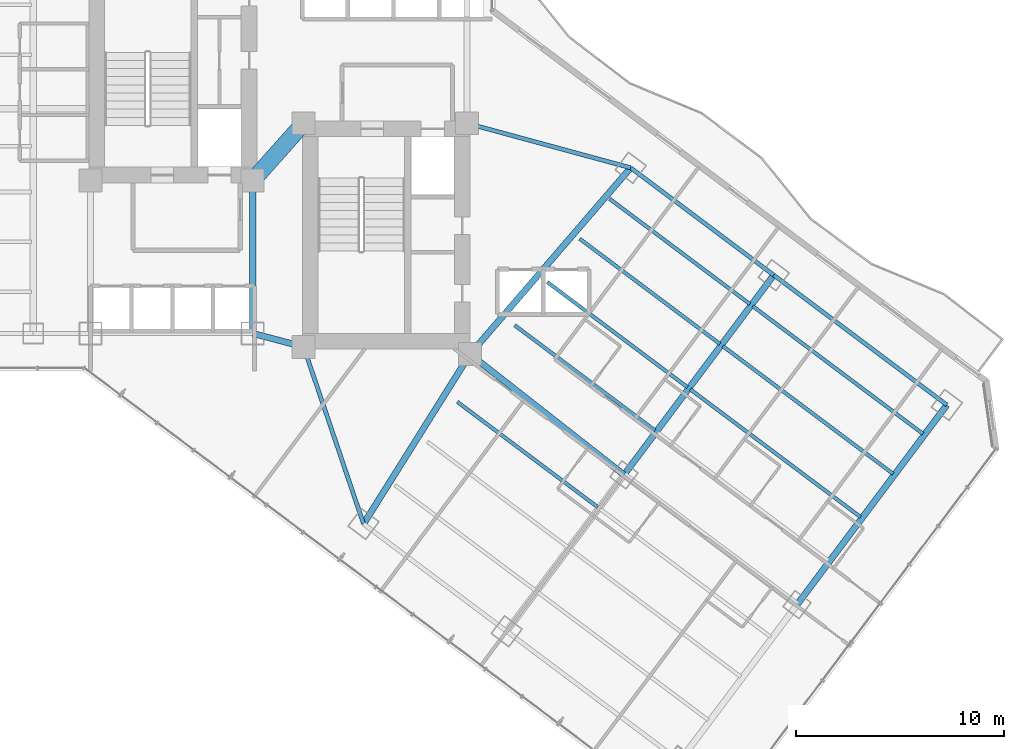
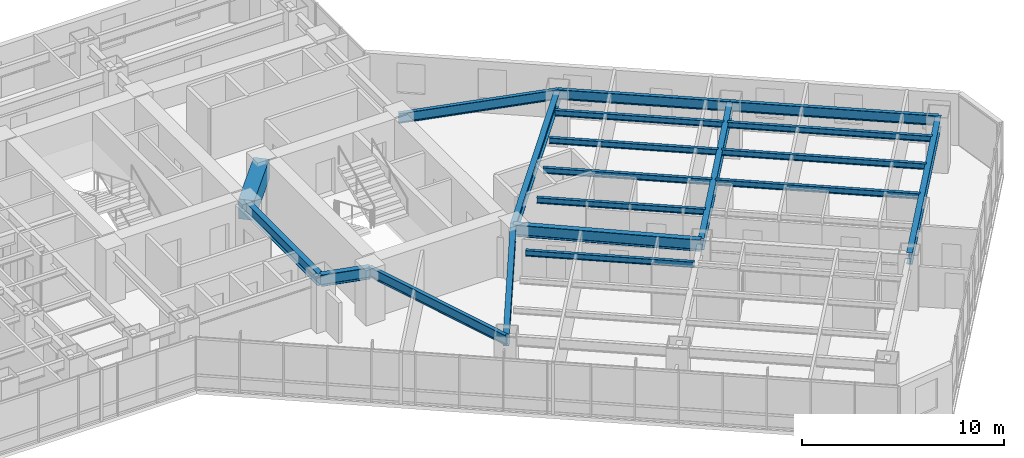
# One storey, part 17 of 38: 20 beams.
"""IFC4 building model written with IfcOpenShell, lengths in metres."""

from ifc_helpers import new_model, si_unit, direction, frame, origin, origin_2d, place, context, subcontext, project, spatial, rectangle, i_section, extrude, material, material_profile, profile_set, type_object, element, save


model = new_model("IFC4")

# Units and contexts
model_context = context("Model", 3, precision=1e-05, world=origin(), true_north=direction((0.0, 1.0)))
body_context = subcontext(model_context, "Body", "Model", "MODEL_VIEW")
ifc_project = project(units=[si_unit("LENGTHUNIT", "METRE"), si_unit("AREAUNIT", "SQUARE_METRE"), si_unit("VOLUMEUNIT", "CUBIC_METRE"), si_unit("PLANEANGLEUNIT", "RADIAN"), si_unit("MASSUNIT", "GRAM", prefix="KILO")], contexts=[model_context])

# Site, building, storey
site_placement = place(None, origin())
site = spatial("IfcSite", under=ifc_project, at=site_placement, CompositionType="ELEMENT")
building_placement = place(site_placement, origin())
building = spatial("IfcBuilding", under=site, at=building_placement, Name="Hatsunagi Terrace Concourse", CompositionType="ELEMENT")
storey_placement = place(building_placement, frame((0.0, 0.0, 63.39990234375)))
storey = spatial("IfcBuildingStorey", under=building, at=storey_placement, Name="L16", CompositionType="ELEMENT", Elevation=63.39990234375)

# Beams
ifc_material_1 = material(Name="Concrete Fc60", Category="concrete")
ifc_material_profile_1 = material_profile(ifc_material_1, rectangle(XDim=0.800048828125, YDim=1.199951171875, at=origin_2d()), Name="RC-800x1200")
ifc_profile_set_1 = profile_set([ifc_material_profile_1], Name="Concrete Fc60")
beam_type_1 = type_object("IfcBeamType", Name="CoreCouplingBeam_RC_800x1200", PredefinedType="BEAM", material=ifc_profile_set_1)
beam_1_placement = place(storey_placement, frame((33.35009765625, 32.550048828125, 2.530029296875), z_axis=(0.665198651008, 0.746666427997, 0.0), x_axis=(-0.746666427997, 0.665198651008, 0.0)))
element("IfcBeam", 1, at=beam_1_placement, inside=storey, type_object=beam_type_1, Name="Beam CB-01 CB-L16-1", PredefinedType="BEAM", context=body_context, shape_type="SweptSolid", body=[
    extrude(rectangle(XDim=0.800048828125, YDim=1.199951171875, at=origin_2d()), origin(), (0.0, 0.0, 1.0), 3.68310546875),
])
ifc_material_2 = material(Name="Steel SN490B", Category="steel")
ifc_material_profile_2 = material_profile(ifc_material_2, i_section(OverallWidth=0.300048828125, OverallDepth=0.699951171875, WebThickness=0.012939453125, FlangeThickness=0.02392578125, FilletRadius=0.02197265625, at=origin_2d()), Name="H-700x300x13x24")
ifc_profile_set_2 = profile_set([ifc_material_profile_2], Name="Steel SN490B")
beam_type_2 = type_object("IfcBeamType", Name="HotelFloorGirder_H_700x300", PredefinedType="BEAM", material=ifc_profile_set_2)
beam_2_placement = place(storey_placement, frame((33.35009765625, 25.199951171875, 2.780029296875), z_axis=(0.0, 1.0, 0.0), x_axis=(-1.0, 0.0, 0.0)))
element("IfcBeam", 2, at=beam_2_placement, inside=storey, type_object=beam_type_2, Name="Beam G-04 BM-L16-K2CA", PredefinedType="BEAM", context=body_context, shape_type="SweptSolid", body=[
    extrude(i_section(OverallWidth=0.300048828125, OverallDepth=0.699951171875, WebThickness=0.012939453125, FlangeThickness=0.02392578125, FilletRadius=0.02197265625, at=origin_2d()), origin(), (0.0, 0.0, 1.0), 7.35009765625),
])
beam_3_placement = place(storey_placement, frame((33.35009765625, 25.199951171875, 2.780029296875), z_axis=(0.966569840116, -0.256403479262, 0.0), x_axis=(0.256403479262, 0.966569840116, 0.0)))
element("IfcBeam", 3, at=beam_3_placement, inside=storey, type_object=beam_type_2, Name="Beam G-04 BM-L16-K2CB", PredefinedType="BEAM", context=body_context, shape_type="SweptSolid", body=[
    extrude(i_section(OverallWidth=0.300048828125, OverallDepth=0.699951171875, WebThickness=0.012939453125, FlangeThickness=0.02392578125, FilletRadius=0.02197265625, at=origin_2d()), origin(), (0.0, 0.0, 1.0), 2.53466796875),
])
beam_4_placement = place(storey_placement, frame((38.679931640625, 16.0400390625, 2.780029296875), z_axis=(0.531503907049, 0.847055840421, 0.0), x_axis=(-0.847055840421, 0.531503907049, 0.0)))
element("IfcBeam", 4, at=beam_4_placement, inside=storey, type_object=beam_type_2, Name="Beam G-04 BM-L16-SET-1A", PredefinedType="BEAM", context=body_context, shape_type="SweptSolid", body=[
    extrude(i_section(OverallWidth=0.300048828125, OverallDepth=0.699951171875, WebThickness=0.012939453125, FlangeThickness=0.02392578125, FilletRadius=0.02197265625, at=origin_2d()), origin(), (0.0, 0.0, 1.0), 9.63330078125),
])
beam_5_placement = place(storey_placement, frame((43.800048828125, 24.199951171875, 2.780029296875), z_axis=(0.652739101421, 0.757582777969, 0.0), x_axis=(-0.757582777969, 0.652739101421, 0.0)))
element("IfcBeam", 5, at=beam_5_placement, inside=storey, type_object=beam_type_2, Name="Beam G-04 BM-L16-SET-1B", PredefinedType="BEAM", context=body_context, shape_type="SweptSolid", body=[
    extrude(i_section(OverallWidth=0.300048828125, OverallDepth=0.699951171875, WebThickness=0.012939453125, FlangeThickness=0.02392578125, FilletRadius=0.02197265625, at=origin_2d()), origin(), (0.0, 0.0, 1.0), 11.8271484375),
])
beam_6_placement = place(storey_placement, frame((43.800048828125, 24.199951171875, 2.780029296875), z_axis=(0.787049441068, -0.616889923175, 0.0), x_axis=(0.616889923175, 0.787049441068, 0.0)))
element("IfcBeam", 6, at=beam_6_placement, inside=storey, type_object=beam_type_2, Name="Beam G-04 BM-L16-SE-M2", PredefinedType="BEAM", context=body_context, shape_type="SweptSolid", body=[
    extrude(i_section(OverallWidth=0.300048828125, OverallDepth=0.699951171875, WebThickness=0.012939453125, FlangeThickness=0.02392578125, FilletRadius=0.02197265625, at=origin_2d()), origin(), (0.0, 0.0, 1.0), 9.402099609375),
])
for number, where, z_axis, x_axis, name in (
    (7, (51.199951171875, 18.39990234375, 2.780029296875), (0.59999348959, 0.800004882766, 0.0), (-0.800004882766, 0.59999348959, 0.0), "Beam G-04 BM-L16-SET-2B"),
    (8, (59.52001953125, 12.159912109375, 2.780029296875), (0.59999348959, 0.800004882766, 0.0), (-0.800004882766, 0.59999348959, 0.0), "Beam G-04 BM-L16-SET-3B"),
):
    element("IfcBeam", number, at=place(storey_placement, frame(where, z_axis=z_axis, x_axis=x_axis)), inside=storey, type_object=beam_type_2, Name=name, PredefinedType="BEAM", context=body_context, shape_type="SweptSolid", body=[
        extrude(i_section(OverallWidth=0.300048828125, OverallDepth=0.699951171875, WebThickness=0.012939453125, FlangeThickness=0.02392578125, FilletRadius=0.02197265625, at=origin_2d()), origin(), (0.0, 0.0, 1.0), 12.0),
    ])
ifc_material_3 = material(Name="Steel SN490B", Category="steel")
ifc_material_profile_3 = material_profile(ifc_material_3, i_section(OverallWidth=0.175048828125, OverallDepth=0.35009765625, WebThickness=0.007080078125, FlangeThickness=0.010986328125, FilletRadius=0.012939453125, at=origin_2d()), Name="H-350x175x7x11")
ifc_profile_set_3 = profile_set([ifc_material_profile_3], Name="Steel SN490B")
beam_type_3 = type_object("IfcBeamType", Name="HotelJoist_H_350x175", PredefinedType="JOIST", material=ifc_profile_set_3)
for number, where, z_axis, x_axis, name in (
    (9, (43.18798828125, 21.908935546875, 2.955078125), (0.800003475366, -0.59999536615, 0.0), (0.59999536615, 0.800003475366, 0.0), "Beam J-02 J-L16-SE-2-96"),
    (10, (45.947998046875, 25.589111328125, 2.955078125), (0.799989573921, -0.600013901187, 0.0), (0.600013901187, 0.799989573921, 0.0), "Beam J-02 J-L16-SE-2-142"),
    (11, (47.508056640625, 27.6689453125, 2.955078125), (0.800003475366, -0.59999536615, 0.0), (0.59999536615, 0.800003475366, 0.0), "Beam J-02 J-L16-SE-2-168"),
    (12, (49.068115234375, 29.7490234375, 2.955078125), (0.799989573921, -0.600013901187, 0.0), (0.600013901187, 0.799989573921, 0.0), "Beam J-02 J-L16-SE-2-194"),
    (13, (50.508056640625, 31.6689453125, 2.955078125), (0.800003475366, -0.59999536615, 0.0), (0.59999536615, 0.800003475366, 0.0), "Beam J-02 J-L16-SE-2-218"),
):
    element("IfcBeam", number, at=place(storey_placement, frame(where, z_axis=z_axis, x_axis=x_axis)), inside=storey, type_object=beam_type_3, Name=name, PredefinedType="JOIST", context=body_context, shape_type="SweptSolid", body=[
        extrude(i_section(OverallWidth=0.175048828125, OverallDepth=0.35009765625, WebThickness=0.007080078125, FlangeThickness=0.010986328125, FilletRadius=0.012939453125, at=origin_2d()), origin(), (0.0, 0.0, 1.0), 8.429931640625),
    ])
beam_7_placement = place(storey_placement, frame((54.387939453125, 22.509033203125, 2.955078125), z_axis=(0.800005727586, -0.599992363142, 0.0), x_axis=(0.599992363142, 0.800005727586, 0.0)))
element("IfcBeam", 14, at=beam_7_placement, inside=storey, type_object=beam_type_3, Name="Beam J-02 J-L16-SE-3-168", PredefinedType="JOIST", context=body_context, shape_type="SweptSolid", body=[
    extrude(i_section(OverallWidth=0.175048828125, OverallDepth=0.35009765625, WebThickness=0.007080078125, FlangeThickness=0.010986328125, FilletRadius=0.012939453125, at=origin_2d()), origin(), (0.0, 0.0, 1.0), 10.22998046875),
])
beam_8_placement = place(storey_placement, frame((55.947998046875, 24.589111328125, 2.955078125), z_axis=(0.799994272423, -0.600007636694, 0.0), x_axis=(0.600007636694, 0.799994272423, 0.0)))
element("IfcBeam", 15, at=beam_8_placement, inside=storey, type_object=beam_type_3, Name="Beam J-02 J-L16-SE-3-194", PredefinedType="JOIST", context=body_context, shape_type="SweptSolid", body=[
    extrude(i_section(OverallWidth=0.175048828125, OverallDepth=0.35009765625, WebThickness=0.007080078125, FlangeThickness=0.010986328125, FilletRadius=0.012939453125, at=origin_2d()), origin(), (0.0, 0.0, 1.0), 10.230224609375),
])
beam_9_placement = place(storey_placement, frame((57.387939453125, 26.509033203125, 2.955078125), z_axis=(0.800005727586, -0.599992363142, 0.0), x_axis=(0.599992363142, 0.800005727586, 0.0)))
element("IfcBeam", 16, at=beam_9_placement, inside=storey, type_object=beam_type_3, Name="Beam J-02 J-L16-SE-3-218", PredefinedType="JOIST", context=body_context, shape_type="SweptSolid", body=[
    extrude(i_section(OverallWidth=0.175048828125, OverallDepth=0.35009765625, WebThickness=0.007080078125, FlangeThickness=0.010986328125, FilletRadius=0.012939453125, at=origin_2d()), origin(), (0.0, 0.0, 1.0), 10.22998046875),
])
ifc_material_4 = material(Name="Steel SN490B", Category="steel")
ifc_material_profile_4 = material_profile(ifc_material_4, i_section(OverallWidth=0.199951171875, OverallDepth=0.60009765625, WebThickness=0.010986328125, FlangeThickness=0.01708984375, FilletRadius=0.01806640625, at=origin_2d()), Name="H-600x200x11x17")
ifc_profile_set_4 = profile_set([ifc_material_profile_4], Name="Steel SN490B")
beam_type_4 = type_object("IfcBeamType", Name="PerimeterSpandrel_H_600x200", PredefinedType="SPANDREL", material=ifc_profile_set_4)
beam_10_placement = place(storey_placement, frame((35.800048828125, 24.550048828125, 2.830078125), z_axis=(0.320553412271, -0.947230441805, 0.0), x_axis=(0.947230441805, 0.320553412271, 0.0)))
element("IfcBeam", 17, at=beam_10_placement, inside=storey, type_object=beam_type_4, Name="Beam SP-01 BM-L16-SE-SW0", PredefinedType="SPANDREL", context=body_context, shape_type="SweptSolid", body=[
    extrude(i_section(OverallWidth=0.199951171875, OverallDepth=0.60009765625, WebThickness=0.010986328125, FlangeThickness=0.01708984375, FilletRadius=0.01806640625, at=origin_2d()), origin(), (0.0, 0.0, 1.0), 8.984130859375),
])
beam_11_placement = place(storey_placement, frame((43.64990234375, 35.300048828125, 2.830078125), z_axis=(0.964958359286, -0.262403057994, 0.0), x_axis=(0.262403057994, 0.964958359286, 0.0)))
element("IfcBeam", 18, at=beam_11_placement, inside=storey, type_object=beam_type_4, Name="Beam SP-01 BM-L16-SE-NE0", PredefinedType="SPANDREL", context=body_context, shape_type="SweptSolid", body=[
    extrude(i_section(OverallWidth=0.199951171875, OverallDepth=0.60009765625, WebThickness=0.010986328125, FlangeThickness=0.01708984375, FilletRadius=0.01806640625, at=origin_2d()), origin(), (0.0, 0.0, 1.0), 8.156005859375),
])
beam_12_placement = place(storey_placement, frame((51.52001953125, 33.159912109375, 2.830078125), z_axis=(0.8, -0.6, 0.0), x_axis=(0.6, 0.8, 0.0)))
element("IfcBeam", 19, at=beam_12_placement, inside=storey, type_object=beam_type_4, Name="Beam SP-01 BM-L16-SE-NE2", PredefinedType="SPANDREL", context=body_context, shape_type="SweptSolid", body=[
    extrude(i_section(OverallWidth=0.199951171875, OverallDepth=0.60009765625, WebThickness=0.010986328125, FlangeThickness=0.01708984375, FilletRadius=0.01806640625, at=origin_2d()), origin(), (0.0, 0.0, 1.0), 8.599853515625),
])
beam_13_placement = place(storey_placement, frame((58.39990234375, 28.0, 2.830078125), z_axis=(0.800002816985, -0.599996244001, 0.0), x_axis=(0.599996244001, 0.800002816985, 0.0)))
element("IfcBeam", 20, at=beam_13_placement, inside=storey, type_object=beam_type_4, Name="Beam SP-01 BM-L16-SE-NE3", PredefinedType="SPANDREL", context=body_context, shape_type="SweptSolid", body=[
    extrude(i_section(OverallWidth=0.199951171875, OverallDepth=0.60009765625, WebThickness=0.010986328125, FlangeThickness=0.01708984375, FilletRadius=0.01806640625, at=origin_2d()), origin(), (0.0, 0.0, 1.0), 10.400146484375),
])

save(model, "model.ifc")
